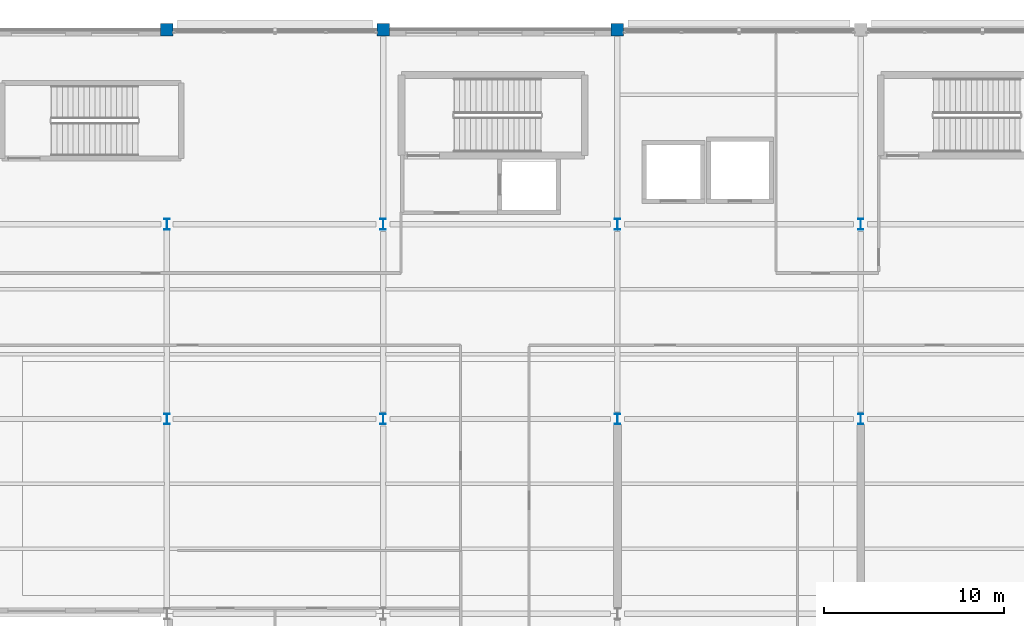
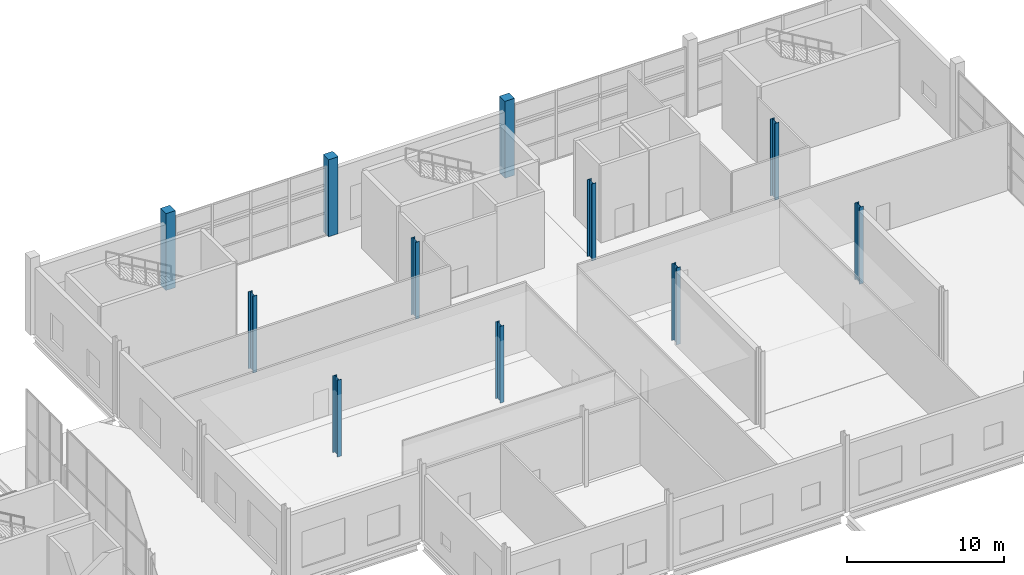
# One storey, part 20 of 191: 11 columns.
"""IFC4 building model written with IfcOpenShell, lengths in metres."""

from ifc_helpers import new_model, si_unit, direction, frame, origin, origin_2d, place, context, subcontext, project, spatial, rectangle, i_section, extrude, material, material_profile, profile_set, type_object, element, save


model = new_model("IFC4")

# Units and contexts
model_context = context("Model", 3, precision=1e-05, world=origin(), true_north=direction((0.0, 1.0)))
body_context = subcontext(model_context, "Body", "Model", "MODEL_VIEW")
ifc_project = project(units=[si_unit("LENGTHUNIT", "METRE"), si_unit("AREAUNIT", "SQUARE_METRE"), si_unit("VOLUMEUNIT", "CUBIC_METRE"), si_unit("PLANEANGLEUNIT", "RADIAN"), si_unit("MASSUNIT", "GRAM", prefix="KILO")], contexts=[model_context])

# Site, building, storey
site_placement = place(None, origin())
site = spatial("IfcSite", under=ifc_project, at=site_placement, CompositionType="ELEMENT")
building_placement = place(site_placement, origin())
building = spatial("IfcBuilding", under=site, at=building_placement, Name="Tamarisk Ironworks Central Station", CompositionType="ELEMENT")
storey_placement = place(building_placement, frame((0.0, 0.0, 6.60009765625)))
storey = spatial("IfcBuildingStorey", under=building, at=storey_placement, Name="L01", CompositionType="ELEMENT", Elevation=6.60009765625)

# Columns
ifc_material_1 = material(Name="Concrete C50/60", Category="concrete")
ifc_material_profile_1 = material_profile(ifc_material_1, rectangle(XDim=0.699951171875, YDim=0.699951171875, at=origin_2d()), Name="RC 700x700")
ifc_profile_set_1 = profile_set([ifc_material_profile_1], Name="Concrete C50/60")
column_type_1 = type_object("IfcColumnType", Name="COL-RC02", PredefinedType="COLUMN", material=ifc_profile_set_1)
for number, where, z_axis, x_axis, name in (
    (1, (128.0, 122.39990234375, 0.0), (0.0, 0.0, 1.0), (1.0, 0.0, 0.0), "L01 column V5-16N"),
    (2, (140.0, 122.39990234375, 0.0), (0.0, 0.0, 1.0), (1.0, 0.0, 0.0), "L01 column V5-17N"),
    (3, (153.0, 122.39990234375, 0.0), (0.0, 0.0, 1.0), (1.0, 0.0, 0.0), "L01 column V5-18N"),
):
    element("IfcColumn", number, at=place(storey_placement, frame(where, z_axis=z_axis, x_axis=x_axis)), inside=storey, type_object=column_type_1, Name=name, PredefinedType="COLUMN", context=body_context, shape_type="SweptSolid", body=[
        extrude(rectangle(XDim=0.699951171875, YDim=0.699951171875, at=origin_2d()), origin(), (0.0, 0.0, 1.0), 6.0),
    ])
ifc_material_2 = material(Name="Structural steel S355J2", Category="steel")
ifc_material_profile_2 = material_profile(ifc_material_2, i_section(OverallWidth=0.300048828125, OverallDepth=0.60009765625, WebThickness=0.015380859375, FlangeThickness=0.029052734375, at=origin_2d()), Name="HEB 600")
ifc_profile_set_2 = profile_set([ifc_material_profile_2], Name="Structural steel S355J2")
column_type_2 = type_object("IfcColumnType", Name="COL-S05", PredefinedType="COLUMN", material=ifc_profile_set_2)
for number, where, z_axis, x_axis, name in (
    (4, (128.0, 100.800048828125, 0.0), (0.0, 0.0, 1.0), (1.0, 0.0, 0.0), "L01 column V5-16J"),
    (5, (128.0, 111.60009765625, 0.0), (0.0, 0.0, 1.0), (1.0, 0.0, 0.0), "L01 column V5-16L"),
    (6, (140.0, 100.800048828125, 0.0), (0.0, 0.0, 1.0), (1.0, 0.0, 0.0), "L01 column V5-17J"),
    (7, (140.0, 111.60009765625, 0.0), (0.0, 0.0, 1.0), (1.0, 0.0, 0.0), "L01 column V5-17L"),
    (8, (153.0, 100.800048828125, 0.0), (0.0, 0.0, 1.0), (1.0, 0.0, 0.0), "L01 column V5-18J"),
    (9, (153.0, 111.60009765625, 0.0), (0.0, 0.0, 1.0), (1.0, 0.0, 0.0), "L01 column V5-18L"),
    (10, (166.5, 100.800048828125, 0.0), (0.0, 0.0, 1.0), (1.0, 0.0, 0.0), "L01 column V5-19J"),
    (11, (166.5, 111.60009765625, 0.0), (0.0, 0.0, 1.0), (1.0, 0.0, 0.0), "L01 column V5-19L"),
):
    element("IfcColumn", number, at=place(storey_placement, frame(where, z_axis=z_axis, x_axis=x_axis)), inside=storey, type_object=column_type_2, Name=name, PredefinedType="COLUMN", context=body_context, shape_type="SweptSolid", body=[
        extrude(i_section(OverallWidth=0.300048828125, OverallDepth=0.60009765625, WebThickness=0.015380859375, FlangeThickness=0.029052734375, at=origin_2d()), origin(), (0.0, 0.0, 1.0), 6.0),
    ])

save(model, "model.ifc")
